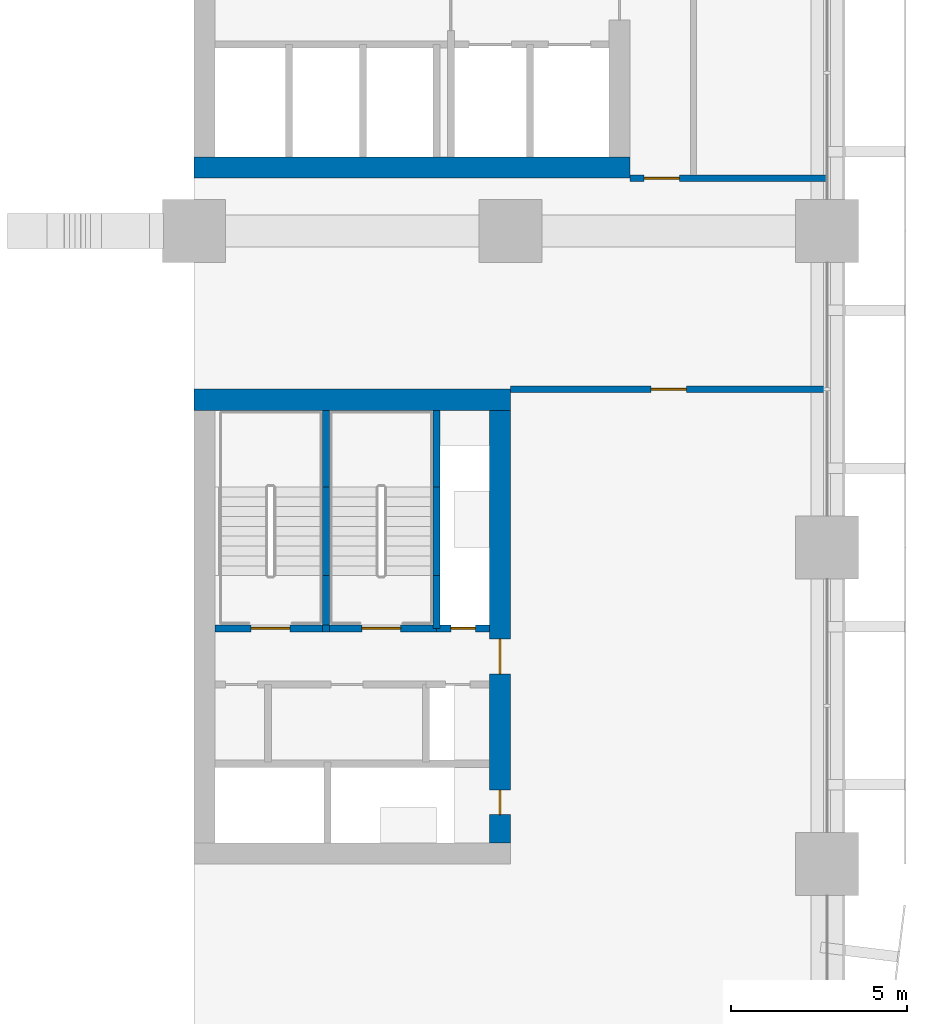
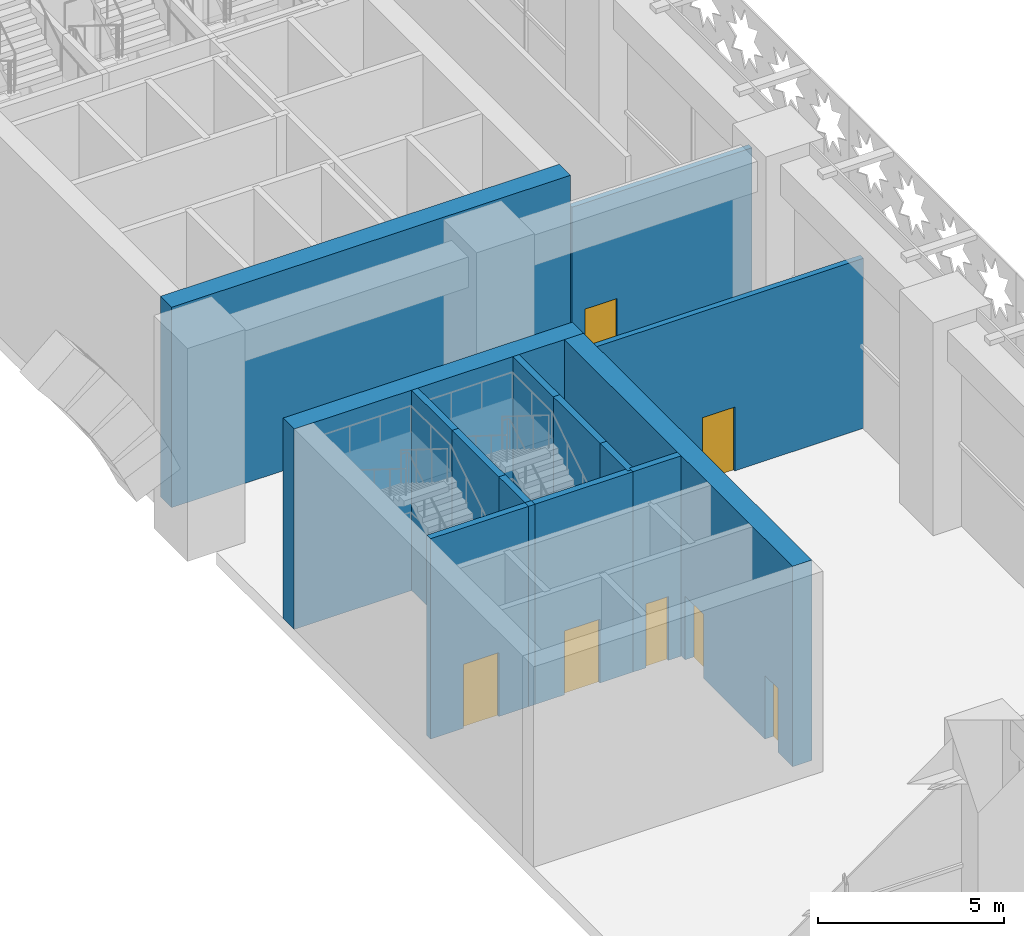
# One storey, part 19 of 42: 15 walls, 7 doors, 7 openings.
"""IFC4 building model written with IfcOpenShell, lengths in metres."""

from ifc_helpers import new_model, si_unit, direction, frame, frame_2d, origin, place, context, subcontext, project, spatial, rectangle, extrude, material, layer, layer_set, type_object, element, fill, save


model = new_model("IFC4")

# Units and contexts
model_context = context("Model", 3, precision=1e-05, world=origin(), true_north=direction((0.0, 1.0)))
body_context = subcontext(model_context, "Body", "Model", "MODEL_VIEW")
ifc_project = project(units=[si_unit("LENGTHUNIT", "METRE"), si_unit("AREAUNIT", "SQUARE_METRE"), si_unit("VOLUMEUNIT", "CUBIC_METRE"), si_unit("PLANEANGLEUNIT", "RADIAN"), si_unit("MASSUNIT", "GRAM", prefix="KILO")], contexts=[model_context])

# Site, building, storey
site_placement = place(None, origin())
site = spatial("IfcSite", under=ifc_project, at=site_placement, CompositionType="ELEMENT")
building_placement = place(site_placement, origin())
building = spatial("IfcBuilding", under=site, at=building_placement, Name="Tessera Arch", CompositionType="ELEMENT")
storey_placement = place(building_placement, frame((0.0, 0.0, 14.0)))
storey = spatial("IfcBuildingStorey", under=building, at=storey_placement, Name="L02", CompositionType="ELEMENT", Elevation=14.0)

# Walls
ifc_material_1 = material(Name="Concrete C70/85", Category="concrete")
ifc_layer_1 = layer(ifc_material_1, 0.60009765625)
ifc_layer_set_1 = layer_set([ifc_layer_1], Name="Core shell wall 600 C70-85")
wall_type_1 = type_object("IfcWallType", Name="Core shell wall 600 C70-85", PredefinedType="SHEAR", material=ifc_layer_set_1)
wall_1_placement = place(storey_placement, frame((36.0, 28.800048828125, 0.0), z_axis=(0.0, 0.0, 1.0), x_axis=(1.0, 0.0, 0.0)))
element("IfcWall", 1, at=wall_1_placement, inside=storey, type_object=wall_type_1, Name="L02 C1 core wall S", PredefinedType="SHEAR", context=body_context, shape_type="SweptSolid", body=[
    extrude(rectangle(XDim=12.39990234375, YDim=0.60009765625, at=frame_2d((6.199951171875, 0.0))), origin(), (0.0, 0.0, 1.0), 6.590087890625),
])
wall_2_placement = place(storey_placement, frame((36.0, 22.199951171875, 0.0), z_axis=(0.0, 0.0, 1.0), x_axis=(1.0, 0.0, 0.0)))
element("IfcWall", 2, at=wall_2_placement, inside=storey, type_object=wall_type_1, Name="L02 C3 core wall N", PredefinedType="SHEAR", context=body_context, shape_type="SweptSolid", body=[
    extrude(rectangle(XDim=9.0, YDim=0.60009765625, at=frame_2d((4.5, 0.0))), origin(), (0.0, 0.0, 1.0), 6.590087890625),
])

# Wall, openings, doors
wall_3_placement = place(storey_placement, frame((44.699951171875, 9.60009765625, 0.0), z_axis=(0.0, 0.0, 1.0), x_axis=(0.0, 1.0, 0.0)))
wall_3 = element("IfcWall", 3, at=wall_3_placement, inside=storey, type_object=wall_type_1, Name="L02 C3 core wall E", PredefinedType="SHEAR", context=body_context, shape_type="SweptSolid", body=[
    extrude(rectangle(XDim=12.2998046875, YDim=0.60009765625, at=frame_2d((6.14990234375, 0.0))), origin(), (0.0, 0.0, 1.0), 6.590087890625),
])
opening_1_placement = place(wall_3_placement, frame((0.800048828125, 0.0, 0.0)))
opening_1 = element("IfcOpeningElement", 4, at=opening_1_placement, cuts=wall_3, Name="Opening L02-C33", PredefinedType="OPENING", context=body_context, shape_type="SweptSolid", body=[
    extrude(rectangle(XDim=0.699951171875, YDim=2.10009765625, at=frame_2d((0.35009765625, 1.050048828125))), frame((0.0, 0.31005859375, 0.0), z_axis=(0.0, -1.0, 0.0), x_axis=(1.0, 0.0, 0.0)), (0.0, 0.0, 1.0), 0.6201171875),
])
opening_2_placement = place(wall_3_placement, frame((4.800048828125, 0.0, 0.0)))
opening_2 = element("IfcOpeningElement", 5, at=opening_2_placement, cuts=wall_3, Name="Opening L02-C34", PredefinedType="OPENING", context=body_context, shape_type="SweptSolid", body=[
    extrude(rectangle(XDim=1.0, YDim=2.10009765625, at=frame_2d((0.5, 1.050048828125))), frame((0.0, 0.31005859375, 0.0), z_axis=(0.0, -1.0, 0.0), x_axis=(1.0, 0.0, 0.0)), (0.0, 0.0, 1.0), 0.6201171875),
])
ifc_material_2 = material(Name="Steel door leaf", Category="steel")
door_type_1 = type_object("IfcDoorType", Name="Corridor door FD60 1000 x 2100", OperationType="SINGLE_SWING_LEFT", PredefinedType="DOOR", material=ifc_material_2)
door_1_placement = place(opening_2_placement, origin())
door_1 = element("IfcDoor", 6, at=door_1_placement, inside=storey, type_object=door_type_1, Name="L02 C3 door 6 C34 type D12", OperationType="SINGLE_SWING_LEFT", OverallHeight=2.10009765625, OverallWidth=1.0, PredefinedType="DOOR", context=body_context, shape_type="SweptSolid", body=[
    extrude(rectangle(XDim=1.0, YDim=2.10009765625, at=frame_2d((0.5, 1.050048828125))), frame((0.0, 0.02490234375, 0.0), z_axis=(0.0, -1.0, 0.0), x_axis=(1.0, 0.0, 0.0)), (0.0, 0.0, 1.0), 0.050048828125),
])
fill(opening_2, door_1)
ifc_material_3 = material(Name="Steel door leaf", Category="steel")
door_type_2 = type_object("IfcDoorType", Name="Service shaft door FD60 700 x 2100", OperationType="SINGLE_SWING_LEFT", PredefinedType="DOOR", material=ifc_material_3)
door_2_placement = place(opening_1_placement, origin())
door_2 = element("IfcDoor", 7, at=door_2_placement, inside=storey, type_object=door_type_2, Name="L02 C3 door 5 C33 type D07", OperationType="SINGLE_SWING_LEFT", OverallHeight=2.10009765625, OverallWidth=0.699951171875, PredefinedType="DOOR", context=body_context, shape_type="SweptSolid", body=[
    extrude(rectangle(XDim=0.699951171875, YDim=2.10009765625, at=frame_2d((0.35009765625, 1.050048828125))), frame((0.0, 0.02490234375, 0.0), z_axis=(0.0, -1.0, 0.0), x_axis=(1.0, 0.0, 0.0)), (0.0, 0.0, 1.0), 0.050048828125),
])
fill(opening_1, door_2)

# Wall, opening, door
ifc_material_4 = material(Name="Gypsum board on deep steel stud with mineral wool", Category="steel")
ifc_layer_2 = layer(ifc_material_4, 0.175048828125)
ifc_layer_set_2 = layer_set([ifc_layer_2], Name="Corridor wall 175 EI 60")
wall_type_2 = type_object("IfcWallType", Name="Corridor wall 175 EI 60", PredefinedType="PARTITIONING", material=ifc_layer_set_2)
wall_4_placement = place(storey_placement, frame((45.0, 22.5, 0.0), z_axis=(0.0, 0.0, 1.0), x_axis=(1.0, 0.0, 0.0)))
wall_4 = element("IfcWall", 8, at=wall_4_placement, inside=storey, type_object=wall_type_2, Name="L02 partition 5", PredefinedType="PARTITIONING", context=body_context, shape_type="SweptSolid", body=[
    extrude(rectangle(XDim=9.0, YDim=0.175048828125, at=frame_2d((4.5, 0.0))), origin(), (0.0, 0.0, 1.0), 5.590087890625),
])
opening_3_placement = place(wall_4_placement, frame((4.0, 0.0, 0.0)))
opening_3 = element("IfcOpeningElement", 9, at=opening_3_placement, cuts=wall_4, Name="Opening L02-D014", PredefinedType="OPENING", context=body_context, shape_type="SweptSolid", body=[
    extrude(rectangle(XDim=1.0, YDim=2.10009765625, at=frame_2d((0.5, 1.050048828125))), frame((0.0, 0.097412109375, 0.0), z_axis=(0.0, -1.0, 0.0), x_axis=(1.0, 0.0, 0.0)), (0.0, 0.0, 1.0), 0.195068359375),
])
ifc_material_5 = material(Name="Fire-rated door leaf")
door_type_3 = type_object("IfcDoorType", Name="Entrance door FD30S 1000 x 2100", OperationType="SINGLE_SWING_LEFT", PredefinedType="DOOR", material=ifc_material_5)
door_3_placement = place(opening_3_placement, origin())
door_3 = element("IfcDoor", 10, at=door_3_placement, inside=storey, type_object=door_type_3, Name="L02 door D014 type D03", OperationType="SINGLE_SWING_LEFT", OverallHeight=2.10009765625, OverallWidth=1.0, PredefinedType="DOOR", context=body_context, shape_type="SweptSolid", body=[
    extrude(rectangle(XDim=1.0, YDim=2.10009765625, at=frame_2d((0.5, 1.050048828125))), frame((0.0, 0.02490234375, 0.0), z_axis=(0.0, -1.0, 0.0), x_axis=(1.0, 0.0, 0.0)), (0.0, 0.0, 1.0), 0.050048828125),
])
fill(opening_3, door_3)

wall_5_placement = place(storey_placement, frame((48.39990234375, 28.5, 0.0), z_axis=(0.0, 0.0, 1.0), x_axis=(1.0, 0.0, 0.0)))
wall_5 = element("IfcWall", 11, at=wall_5_placement, inside=storey, type_object=wall_type_2, Name="L02 partition 7", PredefinedType="PARTITIONING", context=body_context, shape_type="SweptSolid", body=[
    extrude(rectangle(XDim=5.60009765625, YDim=0.175048828125, at=frame_2d((2.800048828125, 0.0))), origin(), (0.0, 0.0, 1.0), 5.590087890625),
])
opening_4_placement = place(wall_5_placement, frame((0.39990234375, 0.0, 0.0)))
opening_4 = element("IfcOpeningElement", 12, at=opening_4_placement, cuts=wall_5, Name="Opening L02-D001", PredefinedType="OPENING", context=body_context, shape_type="SweptSolid", body=[
    extrude(rectangle(XDim=1.0, YDim=2.10009765625, at=frame_2d((0.5, 1.050048828125))), frame((0.0, 0.097412109375, 0.0), z_axis=(0.0, -1.0, 0.0), x_axis=(1.0, 0.0, 0.0)), (0.0, 0.0, 1.0), 0.195068359375),
])
door_4_placement = place(opening_4_placement, origin())
door_4 = element("IfcDoor", 13, at=door_4_placement, inside=storey, type_object=door_type_3, Name="L02 door D001 type D03", OperationType="SINGLE_SWING_RIGHT", OverallHeight=2.10009765625, OverallWidth=1.0, PredefinedType="DOOR", context=body_context, shape_type="SweptSolid", body=[
    extrude(rectangle(XDim=1.0, YDim=2.10009765625, at=frame_2d((0.5, 1.050048828125))), frame((0.0, 0.02490234375, 0.0), z_axis=(0.0, -1.0, 0.0), x_axis=(1.0, 0.0, 0.0)), (0.0, 0.0, 1.0), 0.050048828125),
])
fill(opening_4, door_4)

ifc_material_6 = material(Name="Concrete C40/50", Category="concrete")
ifc_layer_3 = layer(ifc_material_6, 0.199951171875)
ifc_layer_set_3 = layer_set([ifc_layer_3], Name="Shaft wall 200 EI 120")
wall_type_3 = type_object("IfcWallType", Name="Shaft wall 200 EI 120", PredefinedType="SOLIDWALL", material=ifc_layer_set_3)
wall_6_placement = place(storey_placement, frame((42.89990234375, 15.699951171875, 0.0), z_axis=(0.0, 0.0, 1.0), x_axis=(1.0, 0.0, 0.0)))
wall_6 = element("IfcWall", 14, at=wall_6_placement, inside=storey, type_object=wall_type_3, Name="L02 C3 shaft wall 13", PredefinedType="SOLIDWALL", context=body_context, shape_type="SweptSolid", body=[
    extrude(rectangle(XDim=1.5, YDim=0.199951171875, at=frame_2d((0.75, 0.0))), origin(), (0.0, 0.0, 1.0), 6.590087890625),
])
opening_5_placement = place(wall_6_placement, frame((0.39990234375, 0.0, 0.0)))
opening_5 = element("IfcOpeningElement", 15, at=opening_5_placement, cuts=wall_6, Name="Opening L02-C31", PredefinedType="OPENING", context=body_context, shape_type="SweptSolid", body=[
    extrude(rectangle(XDim=0.699951171875, YDim=2.10009765625, at=frame_2d((0.35009765625, 1.050048828125))), frame((0.0, 0.10986328125, 0.0), z_axis=(0.0, -1.0, 0.0), x_axis=(1.0, 0.0, 0.0)), (0.0, 0.0, 1.0), 0.219970703125),
])
door_5_placement = place(opening_5_placement, origin())
door_5 = element("IfcDoor", 16, at=door_5_placement, inside=storey, type_object=door_type_2, Name="L02 C3 door 3 C31 type D07", OperationType="SINGLE_SWING_LEFT", OverallHeight=2.10009765625, OverallWidth=0.699951171875, PredefinedType="DOOR", context=body_context, shape_type="SweptSolid", body=[
    extrude(rectangle(XDim=0.699951171875, YDim=2.10009765625, at=frame_2d((0.35009765625, 1.050048828125))), frame((0.0, 0.02490234375, 0.0), z_axis=(0.0, -1.0, 0.0), x_axis=(1.0, 0.0, 0.0)), (0.0, 0.0, 1.0), 0.050048828125),
])
fill(opening_5, door_5)

# Walls
ifc_material_7 = material(Name="Concrete C40/50", Category="concrete")
ifc_layer_4 = layer(ifc_material_7, 0.199951171875)
ifc_layer_set_4 = layer_set([ifc_layer_4], Name="Stair well wall 200 REI 180")
wall_type_4 = type_object("IfcWallType", Name="Stair well wall 200 REI 180", PredefinedType="SOLIDWALL", material=ifc_layer_set_4)
wall_7_placement = place(storey_placement, frame((39.75, 15.699951171875, 0.0), z_axis=(0.0, 0.0, 1.0), x_axis=(0.0, 1.0, 0.0)))
element("IfcWall", 17, at=wall_7_placement, inside=storey, type_object=wall_type_4, Name="L02 C3 shaft wall 2", PredefinedType="SOLIDWALL", context=body_context, shape_type="SweptSolid", body=[
    extrude(rectangle(XDim=1.5, YDim=0.199951171875, at=frame_2d((0.75, 0.0))), origin(), (0.0, 0.0, 1.0), 6.590087890625),
])
wall_8_placement = place(storey_placement, frame((39.75, 17.199951171875, 0.0), z_axis=(0.0, 0.0, 1.0), x_axis=(0.0, 1.0, 0.0)))
element("IfcWall", 18, at=wall_8_placement, inside=storey, type_object=wall_type_4, Name="L02 C3 shaft wall 3", PredefinedType="SOLIDWALL", context=body_context, shape_type="SweptSolid", body=[
    extrude(rectangle(XDim=2.52001953125, YDim=0.199951171875, at=frame_2d((1.260009765625, 0.0))), origin(), (0.0, 0.0, 1.0), 6.590087890625),
])
wall_9_placement = place(storey_placement, frame((39.75, 19.719970703125, 0.0), z_axis=(0.0, 0.0, 1.0), x_axis=(0.0, 1.0, 0.0)))
element("IfcWall", 19, at=wall_9_placement, inside=storey, type_object=wall_type_4, Name="L02 C3 shaft wall 4", PredefinedType="SOLIDWALL", context=body_context, shape_type="SweptSolid", body=[
    extrude(rectangle(XDim=2.179931640625, YDim=0.199951171875, at=frame_2d((1.08984375, 0.0))), origin(), (0.0, 0.0, 1.0), 6.590087890625),
])
wall_10_placement = place(storey_placement, frame((42.89990234375, 15.699951171875, 0.0), z_axis=(0.0, 0.0, 1.0), x_axis=(0.0, 1.0, 0.0)))
element("IfcWall", 20, at=wall_10_placement, inside=storey, type_object=wall_type_4, Name="L02 C3 shaft wall 7", PredefinedType="SOLIDWALL", context=body_context, shape_type="SweptSolid", body=[
    extrude(rectangle(XDim=1.5, YDim=0.199951171875, at=frame_2d((0.75, 0.0))), origin(), (0.0, 0.0, 1.0), 6.590087890625),
])
wall_11_placement = place(storey_placement, frame((42.89990234375, 17.199951171875, 0.0), z_axis=(0.0, 0.0, 1.0), x_axis=(0.0, 1.0, 0.0)))
element("IfcWall", 21, at=wall_11_placement, inside=storey, type_object=wall_type_4, Name="L02 C3 shaft wall 8", PredefinedType="SOLIDWALL", context=body_context, shape_type="SweptSolid", body=[
    extrude(rectangle(XDim=2.52001953125, YDim=0.199951171875, at=frame_2d((1.260009765625, 0.0))), origin(), (0.0, 0.0, 1.0), 6.590087890625),
])
wall_12_placement = place(storey_placement, frame((42.89990234375, 19.719970703125, 0.0), z_axis=(0.0, 0.0, 1.0), x_axis=(0.0, 1.0, 0.0)))
element("IfcWall", 22, at=wall_12_placement, inside=storey, type_object=wall_type_4, Name="L02 C3 shaft wall 9", PredefinedType="SOLIDWALL", context=body_context, shape_type="SweptSolid", body=[
    extrude(rectangle(XDim=2.179931640625, YDim=0.199951171875, at=frame_2d((1.08984375, 0.0))), origin(), (0.0, 0.0, 1.0), 6.590087890625),
])

# Wall, opening, door
wall_13_placement = place(storey_placement, frame((36.60009765625, 15.699951171875, 0.0), z_axis=(0.0, 0.0, 1.0), x_axis=(1.0, 0.0, 0.0)))
wall_13 = element("IfcWall", 23, at=wall_13_placement, inside=storey, type_object=wall_type_4, Name="L02 C3 shaft wall 14", PredefinedType="SOLIDWALL", context=body_context, shape_type="SweptSolid", body=[
    extrude(rectangle(XDim=3.0498046875, YDim=0.199951171875, at=frame_2d((1.52490234375, 0.0))), origin(), (0.0, 0.0, 1.0), 6.590087890625),
])
opening_6_placement = place(wall_13_placement, frame((1.02490234375, 0.0, 0.0)))
opening_6 = element("IfcOpeningElement", 24, at=opening_6_placement, cuts=wall_13, Name="Opening L02-C29", PredefinedType="OPENING", context=body_context, shape_type="SweptSolid", body=[
    extrude(rectangle(XDim=1.10009765625, YDim=2.10009765625, at=frame_2d((0.550048828125, 1.050048828125))), frame((0.0, 0.10986328125, 0.0), z_axis=(0.0, -1.0, 0.0), x_axis=(1.0, 0.0, 0.0)), (0.0, 0.0, 1.0), 0.219970703125),
])
ifc_material_8 = material(Name="Steel door leaf", Category="steel")
door_type_4 = type_object("IfcDoorType", Name="Stair door FD60 1100 x 2100", OperationType="SINGLE_SWING_LEFT", PredefinedType="DOOR", material=ifc_material_8)
door_6_placement = place(opening_6_placement, origin())
door_6 = element("IfcDoor", 25, at=door_6_placement, inside=storey, type_object=door_type_4, Name="L02 C3 door 1 C29 type D05", OperationType="SINGLE_SWING_RIGHT", OverallHeight=2.10009765625, OverallWidth=1.10009765625, PredefinedType="DOOR", context=body_context, shape_type="SweptSolid", body=[
    extrude(rectangle(XDim=1.10009765625, YDim=2.10009765625, at=frame_2d((0.550048828125, 1.050048828125))), frame((0.0, 0.02490234375, 0.0), z_axis=(0.0, -1.0, 0.0), x_axis=(1.0, 0.0, 0.0)), (0.0, 0.0, 1.0), 0.050048828125),
])
fill(opening_6, door_6)

# Wall
wall_14_placement = place(storey_placement, frame((39.64990234375, 15.699951171875, 0.0), z_axis=(0.0, 0.0, 1.0), x_axis=(1.0, 0.0, 0.0)))
element("IfcWall", 26, at=wall_14_placement, inside=storey, type_object=wall_type_4, Name="L02 C3 shaft wall 15", PredefinedType="SOLIDWALL", context=body_context, shape_type="SweptSolid", body=[
    extrude(rectangle(XDim=0.2001953125, YDim=0.199951171875, at=frame_2d((0.10009765625, 0.0))), origin(), (0.0, 0.0, 1.0), 6.590087890625),
])

# Wall, opening, door
wall_15_placement = place(storey_placement, frame((39.85009765625, 15.699951171875, 0.0), z_axis=(0.0, 0.0, 1.0), x_axis=(1.0, 0.0, 0.0)))
wall_15 = element("IfcWall", 27, at=wall_15_placement, inside=storey, type_object=wall_type_4, Name="L02 C3 shaft wall 16", PredefinedType="SOLIDWALL", context=body_context, shape_type="SweptSolid", body=[
    extrude(rectangle(XDim=3.0498046875, YDim=0.199951171875, at=frame_2d((1.52490234375, 0.0))), origin(), (0.0, 0.0, 1.0), 6.590087890625),
])
opening_7_placement = place(wall_15_placement, frame((0.925048828125, 0.0, 0.0)))
opening_7 = element("IfcOpeningElement", 28, at=opening_7_placement, cuts=wall_15, Name="Opening L02-C30", PredefinedType="OPENING", context=body_context, shape_type="SweptSolid", body=[
    extrude(rectangle(XDim=1.10009765625, YDim=2.10009765625, at=frame_2d((0.550048828125, 1.050048828125))), frame((0.0, 0.10986328125, 0.0), z_axis=(0.0, -1.0, 0.0), x_axis=(1.0, 0.0, 0.0)), (0.0, 0.0, 1.0), 0.219970703125),
])
door_7_placement = place(opening_7_placement, origin())
door_7 = element("IfcDoor", 29, at=door_7_placement, inside=storey, type_object=door_type_4, Name="L02 C3 door 2 C30 type D05", OperationType="SINGLE_SWING_LEFT", OverallHeight=2.10009765625, OverallWidth=1.10009765625, PredefinedType="DOOR", context=body_context, shape_type="SweptSolid", body=[
    extrude(rectangle(XDim=1.10009765625, YDim=2.10009765625, at=frame_2d((0.550048828125, 1.050048828125))), frame((0.0, 0.02490234375, 0.0), z_axis=(0.0, -1.0, 0.0), x_axis=(1.0, 0.0, 0.0)), (0.0, 0.0, 1.0), 0.050048828125),
])
fill(opening_7, door_7)

save(model, "model.ifc")
